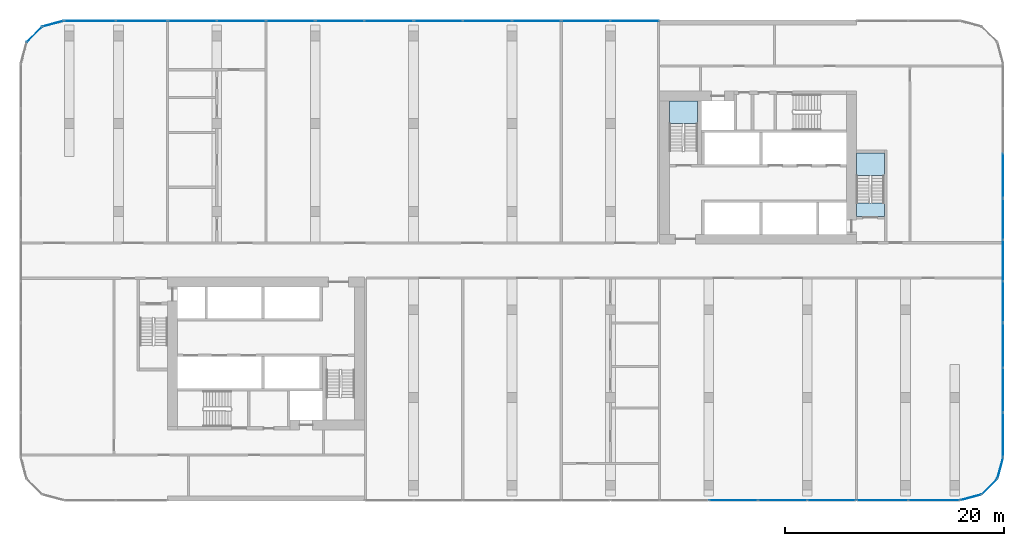
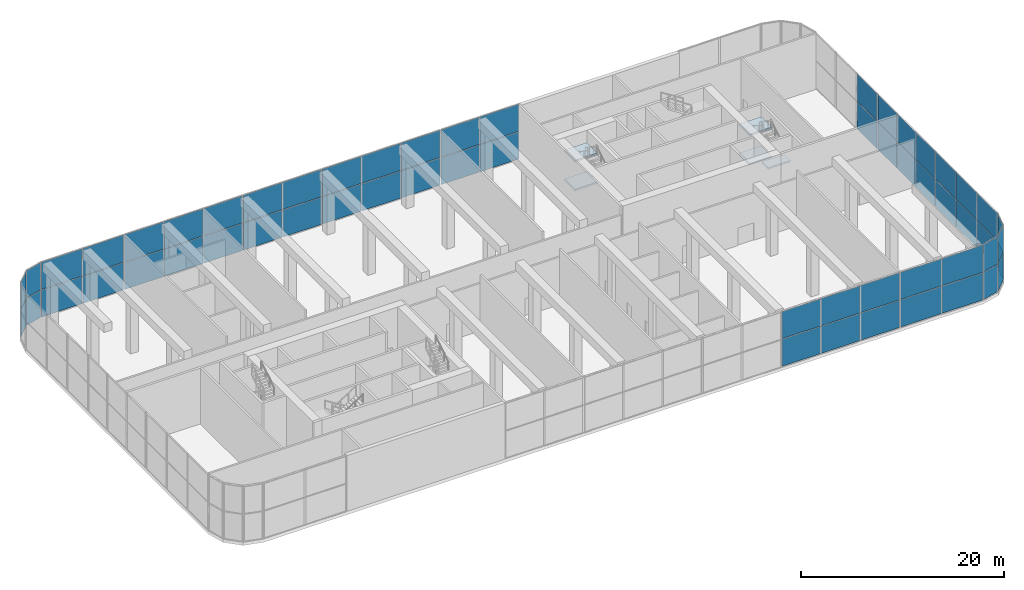
# One storey, part 10 of 23: 58 plates, 5 slabs, 17 elements without a shape of their own.
"""IFC4 building model written with IfcOpenShell, lengths in metres."""

from ifc_helpers import new_model, si_unit, direction, frame, origin, origin_2d, place, context, subcontext, project, spatial, polyline, rectangle, outline, extrude, material, layer, layer_set, type_object, element, aggregate, save


model = new_model("IFC4")

# Units and contexts
model_context = context("Model", 3, precision=1e-05, world=origin(), true_north=direction((0.0, 1.0)))
body_context = subcontext(model_context, "Body", "Model", "MODEL_VIEW")
ifc_project = project(units=[si_unit("LENGTHUNIT", "METRE"), si_unit("AREAUNIT", "SQUARE_METRE"), si_unit("VOLUMEUNIT", "CUBIC_METRE"), si_unit("PLANEANGLEUNIT", "RADIAN"), si_unit("MASSUNIT", "GRAM", prefix="KILO")], contexts=[model_context])

# Site, building, storey
site_placement = place(None, origin())
site = spatial("IfcSite", under=ifc_project, at=site_placement, CompositionType="ELEMENT")
building_placement = place(site_placement, origin())
building = spatial("IfcBuilding", under=site, at=building_placement, Name="Kajstack Hotel Tower", CompositionType="ELEMENT")
storey_placement = place(building_placement, frame((0.0, 0.0, 53.0)))
storey = spatial("IfcBuildingStorey", under=building, at=storey_placement, Name="L08", CompositionType="ELEMENT", Elevation=53.0)

# Curtain wall, plates
ifc_material_1 = material(Name="Aluminium-framed curtain wall, low-iron insulated glass", Category="aluminium")
curtain_wall_type = type_object("IfcCurtainWallType", Name="CW-GARDEN", PredefinedType="NOTDEFINED", material=ifc_material_1)
curtain_wall_1_placement = place(storey_placement, origin())
curtain_wall_1 = element("IfcCurtainWall", 1, at=curtain_wall_1_placement, inside=storey, type_object=curtain_wall_type, Name="Curtain wall CU6 L08-03-02-3", PredefinedType="NOTDEFINED")
ifc_material_2 = material(Name="Low-iron insulated glass", Category="glass")
ifc_layer_1 = layer(ifc_material_2, 0.0400390625)
ifc_layer_set_1 = layer_set([ifc_layer_1], Name="CW-P-GARDEN")
plate_type = type_object("IfcPlateType", Name="CW-P-GARDEN", PredefinedType="CURTAIN_PANEL", material=ifc_layer_set_1)
plate_1_placement = place(storey_placement, frame((20.264892578125, -21.925048828125, 0.06005859375), z_axis=(0.0, 0.0, 1.0), x_axis=(1.0, 0.0, 0.0)))
plate_1 = element("IfcPlate", 2, at=plate_1_placement, type_object=plate_type, Name="CU6 panel 1.1", PredefinedType="CURTAIN_PANEL", context=body_context, shape_type="SweptSolid", body=[
    extrude(rectangle(XDim=4.409912109375, YDim=0.0400390625, at=origin_2d()), origin(), (0.0, 0.0, 1.0), 3.27001953125),
])
plate_2_placement = place(storey_placement, frame((20.264892578125, -21.925048828125, 3.389892578125), z_axis=(0.0, 0.0, 1.0), x_axis=(1.0, 0.0, 0.0)))
plate_2 = element("IfcPlate", 3, at=plate_2_placement, type_object=plate_type, Name="CU6 panel 1.2", PredefinedType="CURTAIN_PANEL", context=body_context, shape_type="SweptSolid", body=[
    extrude(rectangle(XDim=4.409912109375, YDim=0.0400390625, at=origin_2d()), origin(), (0.0, 0.0, 1.0), 3.27001953125),
])
plate_3_placement = place(storey_placement, frame((24.75, -21.925048828125, 0.06005859375), z_axis=(0.0, 0.0, 1.0), x_axis=(1.0, 0.0, 0.0)))
plate_3 = element("IfcPlate", 4, at=plate_3_placement, type_object=plate_type, Name="CU6 panel 2.1", PredefinedType="CURTAIN_PANEL", context=body_context, shape_type="SweptSolid", body=[
    extrude(rectangle(XDim=4.43994140625, YDim=0.0400390625, at=origin_2d()), origin(), (0.0, 0.0, 1.0), 3.27001953125),
])
plate_4_placement = place(storey_placement, frame((24.75, -21.925048828125, 3.389892578125), z_axis=(0.0, 0.0, 1.0), x_axis=(1.0, 0.0, 0.0)))
plate_4 = element("IfcPlate", 5, at=plate_4_placement, type_object=plate_type, Name="CU6 panel 2.2", PredefinedType="CURTAIN_PANEL", context=body_context, shape_type="SweptSolid", body=[
    extrude(rectangle(XDim=4.43994140625, YDim=0.0400390625, at=origin_2d()), origin(), (0.0, 0.0, 1.0), 3.27001953125),
])
plate_5_placement = place(storey_placement, frame((29.235107421875, -21.925048828125, 0.06005859375), z_axis=(0.0, 0.0, 1.0), x_axis=(1.0, 0.0, 0.0)))
plate_5 = element("IfcPlate", 6, at=plate_5_placement, type_object=plate_type, Name="CU6 panel 3.1", PredefinedType="CURTAIN_PANEL", context=body_context, shape_type="SweptSolid", body=[
    extrude(rectangle(XDim=4.409912109375, YDim=0.0400390625, at=origin_2d()), origin(), (0.0, 0.0, 1.0), 3.27001953125),
])
plate_6_placement = place(storey_placement, frame((29.235107421875, -21.925048828125, 3.389892578125), z_axis=(0.0, 0.0, 1.0), x_axis=(1.0, 0.0, 0.0)))
plate_6 = element("IfcPlate", 7, at=plate_6_placement, type_object=plate_type, Name="CU6 panel 3.2", PredefinedType="CURTAIN_PANEL", context=body_context, shape_type="SweptSolid", body=[
    extrude(rectangle(XDim=4.409912109375, YDim=0.0400390625, at=origin_2d()), origin(), (0.0, 0.0, 1.0), 3.27001953125),
])
aggregate(curtain_wall_1, [plate_1, plate_2, plate_3, plate_4, plate_5, plate_6])

curtain_wall_2_placement = place(storey_placement, origin())
curtain_wall_2 = element("IfcCurtainWall", 8, at=curtain_wall_2_placement, inside=storey, type_object=curtain_wall_type, Name="Curtain wall CU6 L08-03-02-4", PredefinedType="NOTDEFINED")
plate_7_placement = place(storey_placement, frame((33.889892578125, -21.925048828125, 0.06005859375), z_axis=(0.0, 0.0, 1.0), x_axis=(1.0, 0.0, 0.0)))
plate_7 = element("IfcPlate", 9, at=plate_7_placement, type_object=plate_type, Name="CU6 panel 1.1", PredefinedType="CURTAIN_PANEL", context=body_context, shape_type="SweptSolid", body=[
    extrude(rectangle(XDim=4.659912109375, YDim=0.0400390625, at=origin_2d()), origin(), (0.0, 0.0, 1.0), 3.27001953125),
])
plate_8_placement = place(storey_placement, frame((33.889892578125, -21.925048828125, 3.389892578125), z_axis=(0.0, 0.0, 1.0), x_axis=(1.0, 0.0, 0.0)))
plate_8 = element("IfcPlate", 10, at=plate_8_placement, type_object=plate_type, Name="CU6 panel 1.2", PredefinedType="CURTAIN_PANEL", context=body_context, shape_type="SweptSolid", body=[
    extrude(rectangle(XDim=4.659912109375, YDim=0.0400390625, at=origin_2d()), origin(), (0.0, 0.0, 1.0), 3.27001953125),
])
plate_9_placement = place(storey_placement, frame((38.610107421875, -21.925048828125, 0.06005859375), z_axis=(0.0, 0.0, 1.0), x_axis=(1.0, 0.0, 0.0)))
plate_9 = element("IfcPlate", 11, at=plate_9_placement, type_object=plate_type, Name="CU6 panel 2.1", PredefinedType="CURTAIN_PANEL", context=body_context, shape_type="SweptSolid", body=[
    extrude(rectangle(XDim=4.659912109375, YDim=0.0400390625, at=origin_2d()), origin(), (0.0, 0.0, 1.0), 3.27001953125),
])
plate_10_placement = place(storey_placement, frame((38.610107421875, -21.925048828125, 3.389892578125), z_axis=(0.0, 0.0, 1.0), x_axis=(1.0, 0.0, 0.0)))
plate_10 = element("IfcPlate", 12, at=plate_10_placement, type_object=plate_type, Name="CU6 panel 2.2", PredefinedType="CURTAIN_PANEL", context=body_context, shape_type="SweptSolid", body=[
    extrude(rectangle(XDim=4.659912109375, YDim=0.0400390625, at=origin_2d()), origin(), (0.0, 0.0, 1.0), 3.27001953125),
])
aggregate(curtain_wall_2, [plate_7, plate_8, plate_9, plate_10])

curtain_wall_3_placement = place(storey_placement, origin())
curtain_wall_3 = element("IfcCurtainWall", 13, at=curtain_wall_3_placement, inside=storey, type_object=curtain_wall_type, Name="Curtain wall CU6 L08-04-00-0", PredefinedType="NOTDEFINED")
plate_11_placement = place(storey_placement, frame((41.98046875, -21.65966796875, 0.06005859375), z_axis=(0.0, 0.0, 1.0), x_axis=(0.965925631275, 0.258819772904, 0.0)))
plate_11 = element("IfcPlate", 14, at=plate_11_placement, type_object=plate_type, Name="CU6 panel 1.1", PredefinedType="CURTAIN_PANEL", context=body_context, shape_type="SweptSolid", body=[
    extrude(rectangle(XDim=1.950439453125, YDim=0.0400390625, at=origin_2d()), origin(), (0.0, 0.0, 1.0), 3.27001953125),
])
plate_12_placement = place(storey_placement, frame((41.98046875, -21.65966796875, 3.389892578125), z_axis=(0.0, 0.0, 1.0), x_axis=(0.965925631275, 0.258819772904, 0.0)))
plate_12 = element("IfcPlate", 15, at=plate_12_placement, type_object=plate_type, Name="CU6 panel 1.2", PredefinedType="CURTAIN_PANEL", context=body_context, shape_type="SweptSolid", body=[
    extrude(rectangle(XDim=1.950439453125, YDim=0.0400390625, at=origin_2d()), origin(), (0.0, 0.0, 1.0), 3.27001953125),
])
aggregate(curtain_wall_3, [plate_11, plate_12])

curtain_wall_4_placement = place(storey_placement, origin())
curtain_wall_4 = element("IfcCurtainWall", 16, at=curtain_wall_4_placement, inside=storey, type_object=curtain_wall_type, Name="Curtain wall CU6 L08-05-00-0", PredefinedType="NOTDEFINED")
plate_13_placement = place(storey_placement, frame((43.678955078125, -20.678955078125, 0.06005859375), z_axis=(0.0, 0.0, 1.0), x_axis=(0.707106781187, 0.707106781187, 0.0)))
plate_13 = element("IfcPlate", 17, at=plate_13_placement, type_object=plate_type, Name="CU6 panel 1.1", PredefinedType="CURTAIN_PANEL", context=body_context, shape_type="SweptSolid", body=[
    extrude(rectangle(XDim=1.950439453125, YDim=0.0400390625, at=origin_2d()), origin(), (0.0, 0.0, 1.0), 3.27001953125),
])
plate_14_placement = place(storey_placement, frame((43.678955078125, -20.678955078125, 3.389892578125), z_axis=(0.0, 0.0, 1.0), x_axis=(0.707106781187, 0.707106781187, 0.0)))
plate_14 = element("IfcPlate", 18, at=plate_14_placement, type_object=plate_type, Name="CU6 panel 1.2", PredefinedType="CURTAIN_PANEL", context=body_context, shape_type="SweptSolid", body=[
    extrude(rectangle(XDim=1.950439453125, YDim=0.0400390625, at=origin_2d()), origin(), (0.0, 0.0, 1.0), 3.27001953125),
])
aggregate(curtain_wall_4, [plate_13, plate_14])

curtain_wall_5_placement = place(storey_placement, origin())
curtain_wall_5 = element("IfcCurtainWall", 19, at=curtain_wall_5_placement, inside=storey, type_object=curtain_wall_type, Name="Curtain wall CU6 L08-06-00-0", PredefinedType="NOTDEFINED")
plate_15_placement = place(storey_placement, frame((44.65966796875, -18.98046875, 0.06005859375), z_axis=(0.0, 0.0, 1.0), x_axis=(0.258819772904, 0.965925631275, 0.0)))
plate_15 = element("IfcPlate", 20, at=plate_15_placement, type_object=plate_type, Name="CU6 panel 1.1", PredefinedType="CURTAIN_PANEL", context=body_context, shape_type="SweptSolid", body=[
    extrude(rectangle(XDim=1.950439453125, YDim=0.0400390625, at=origin_2d()), origin(), (0.0, 0.0, 1.0), 3.27001953125),
])
plate_16_placement = place(storey_placement, frame((44.65966796875, -18.98046875, 3.389892578125), z_axis=(0.0, 0.0, 1.0), x_axis=(0.258819772904, 0.965925631275, 0.0)))
plate_16 = element("IfcPlate", 21, at=plate_16_placement, type_object=plate_type, Name="CU6 panel 1.2", PredefinedType="CURTAIN_PANEL", context=body_context, shape_type="SweptSolid", body=[
    extrude(rectangle(XDim=1.950439453125, YDim=0.0400390625, at=origin_2d()), origin(), (0.0, 0.0, 1.0), 3.27001953125),
])
aggregate(curtain_wall_5, [plate_15, plate_16])

curtain_wall_6_placement = place(storey_placement, origin())
curtain_wall_6 = element("IfcCurtainWall", 22, at=curtain_wall_6_placement, inside=storey, type_object=curtain_wall_type, Name="Curtain wall CU6 L08-07-00-0", PredefinedType="NOTDEFINED")
plate_17_placement = place(storey_placement, frame((44.925048828125, -15.93505859375, 0.06005859375), z_axis=(0.0, 0.0, 1.0), x_axis=(0.0, 1.0, 0.0)))
plate_17 = element("IfcPlate", 23, at=plate_17_placement, type_object=plate_type, Name="CU6 panel 1.1", PredefinedType="CURTAIN_PANEL", context=body_context, shape_type="SweptSolid", body=[
    extrude(rectangle(XDim=4.010009765625, YDim=0.0400390625, at=origin_2d()), origin(), (0.0, 0.0, 1.0), 3.27001953125),
])
plate_18_placement = place(storey_placement, frame((44.925048828125, -15.93505859375, 3.389892578125), z_axis=(0.0, 0.0, 1.0), x_axis=(0.0, 1.0, 0.0)))
plate_18 = element("IfcPlate", 24, at=plate_18_placement, type_object=plate_type, Name="CU6 panel 1.2", PredefinedType="CURTAIN_PANEL", context=body_context, shape_type="SweptSolid", body=[
    extrude(rectangle(XDim=4.010009765625, YDim=0.0400390625, at=origin_2d()), origin(), (0.0, 0.0, 1.0), 3.27001953125),
])
plate_19_placement = place(storey_placement, frame((44.925048828125, -11.85009765625, 0.06005859375), z_axis=(0.0, 0.0, 1.0), x_axis=(0.0, 1.0, 0.0)))
plate_19 = element("IfcPlate", 25, at=plate_19_placement, type_object=plate_type, Name="CU6 panel 2.1", PredefinedType="CURTAIN_PANEL", context=body_context, shape_type="SweptSolid", body=[
    extrude(rectangle(XDim=4.0400390625, YDim=0.0400390625, at=origin_2d()), origin(), (0.0, 0.0, 1.0), 3.27001953125),
])
plate_20_placement = place(storey_placement, frame((44.925048828125, -11.85009765625, 3.389892578125), z_axis=(0.0, 0.0, 1.0), x_axis=(0.0, 1.0, 0.0)))
plate_20 = element("IfcPlate", 26, at=plate_20_placement, type_object=plate_type, Name="CU6 panel 2.2", PredefinedType="CURTAIN_PANEL", context=body_context, shape_type="SweptSolid", body=[
    extrude(rectangle(XDim=4.0400390625, YDim=0.0400390625, at=origin_2d()), origin(), (0.0, 0.0, 1.0), 3.27001953125),
])
plate_21_placement = place(storey_placement, frame((44.925048828125, -7.764892578125, 0.06005859375), z_axis=(0.0, 0.0, 1.0), x_axis=(0.0, 1.0, 0.0)))
plate_21 = element("IfcPlate", 27, at=plate_21_placement, type_object=plate_type, Name="CU6 panel 3.1", PredefinedType="CURTAIN_PANEL", context=body_context, shape_type="SweptSolid", body=[
    extrude(rectangle(XDim=4.010009765625, YDim=0.0400390625, at=origin_2d()), origin(), (0.0, 0.0, 1.0), 3.27001953125),
])
plate_22_placement = place(storey_placement, frame((44.925048828125, -7.764892578125, 3.389892578125), z_axis=(0.0, 0.0, 1.0), x_axis=(0.0, 1.0, 0.0)))
plate_22 = element("IfcPlate", 28, at=plate_22_placement, type_object=plate_type, Name="CU6 panel 3.2", PredefinedType="CURTAIN_PANEL", context=body_context, shape_type="SweptSolid", body=[
    extrude(rectangle(XDim=4.010009765625, YDim=0.0400390625, at=origin_2d()), origin(), (0.0, 0.0, 1.0), 3.27001953125),
])
aggregate(curtain_wall_6, [plate_17, plate_18, plate_19, plate_20, plate_21, plate_22])

curtain_wall_7_placement = place(storey_placement, origin())
curtain_wall_7 = element("IfcCurtainWall", 29, at=curtain_wall_7_placement, inside=storey, type_object=curtain_wall_type, Name="Curtain wall CU6 L08-07-00-1", PredefinedType="NOTDEFINED")
plate_23_placement = place(storey_placement, frame((44.925048828125, -3.784912109375, 0.06005859375), z_axis=(0.0, 0.0, 1.0), x_axis=(0.0, 1.0, 0.0)))
plate_23 = element("IfcPlate", 30, at=plate_23_placement, type_object=plate_type, Name="CU6 panel 1.1", PredefinedType="CURTAIN_PANEL", context=body_context, shape_type="SweptSolid", body=[
    extrude(rectangle(XDim=3.7099609375, YDim=0.0400390625, at=origin_2d()), origin(), (0.0, 0.0, 1.0), 3.27001953125),
])
plate_24_placement = place(storey_placement, frame((44.925048828125, -3.784912109375, 3.389892578125), z_axis=(0.0, 0.0, 1.0), x_axis=(0.0, 1.0, 0.0)))
plate_24 = element("IfcPlate", 31, at=plate_24_placement, type_object=plate_type, Name="CU6 panel 1.2", PredefinedType="CURTAIN_PANEL", context=body_context, shape_type="SweptSolid", body=[
    extrude(rectangle(XDim=3.7099609375, YDim=0.0400390625, at=origin_2d()), origin(), (0.0, 0.0, 1.0), 3.27001953125),
])
plate_25_placement = place(storey_placement, frame((44.925048828125, 0.0, 0.06005859375), z_axis=(0.0, 0.0, 1.0), x_axis=(0.0, 1.0, 0.0)))
plate_25 = element("IfcPlate", 32, at=plate_25_placement, type_object=plate_type, Name="CU6 panel 2.1", PredefinedType="CURTAIN_PANEL", context=body_context, shape_type="SweptSolid", body=[
    extrude(rectangle(XDim=3.739990234375, YDim=0.0400390625, at=origin_2d()), origin(), (0.0, 0.0, 1.0), 3.27001953125),
])
plate_26_placement = place(storey_placement, frame((44.925048828125, 0.0, 3.389892578125), z_axis=(0.0, 0.0, 1.0), x_axis=(0.0, 1.0, 0.0)))
plate_26 = element("IfcPlate", 33, at=plate_26_placement, type_object=plate_type, Name="CU6 panel 2.2", PredefinedType="CURTAIN_PANEL", context=body_context, shape_type="SweptSolid", body=[
    extrude(rectangle(XDim=3.739990234375, YDim=0.0400390625, at=origin_2d()), origin(), (0.0, 0.0, 1.0), 3.27001953125),
])
plate_27_placement = place(storey_placement, frame((44.925048828125, 3.784912109375, 0.06005859375), z_axis=(0.0, 0.0, 1.0), x_axis=(0.0, 1.0, 0.0)))
plate_27 = element("IfcPlate", 34, at=plate_27_placement, type_object=plate_type, Name="CU6 panel 3.1", PredefinedType="CURTAIN_PANEL", context=body_context, shape_type="SweptSolid", body=[
    extrude(rectangle(XDim=3.7099609375, YDim=0.0400390625, at=origin_2d()), origin(), (0.0, 0.0, 1.0), 3.27001953125),
])
plate_28_placement = place(storey_placement, frame((44.925048828125, 3.784912109375, 3.389892578125), z_axis=(0.0, 0.0, 1.0), x_axis=(0.0, 1.0, 0.0)))
plate_28 = element("IfcPlate", 35, at=plate_28_placement, type_object=plate_type, Name="CU6 panel 3.2", PredefinedType="CURTAIN_PANEL", context=body_context, shape_type="SweptSolid", body=[
    extrude(rectangle(XDim=3.7099609375, YDim=0.0400390625, at=origin_2d()), origin(), (0.0, 0.0, 1.0), 3.27001953125),
])
aggregate(curtain_wall_7, [plate_23, plate_24, plate_25, plate_26, plate_27, plate_28])

curtain_wall_8_placement = place(storey_placement, origin())
curtain_wall_8 = element("IfcCurtainWall", 36, at=curtain_wall_8_placement, inside=storey, type_object=curtain_wall_type, Name="Curtain wall CU6 L08-07-00-2", PredefinedType="NOTDEFINED")
plate_29_placement = place(storey_placement, frame((44.925048828125, 7.764892578125, 0.06005859375), z_axis=(0.0, 0.0, 1.0), x_axis=(0.0, 1.0, 0.0)))
plate_29 = element("IfcPlate", 37, at=plate_29_placement, type_object=plate_type, Name="CU6 panel 1.1", PredefinedType="CURTAIN_PANEL", context=body_context, shape_type="SweptSolid", body=[
    extrude(rectangle(XDim=4.010009765625, YDim=0.0400390625, at=origin_2d()), origin(), (0.0, 0.0, 1.0), 3.27001953125),
])
plate_30_placement = place(storey_placement, frame((44.925048828125, 7.764892578125, 3.389892578125), z_axis=(0.0, 0.0, 1.0), x_axis=(0.0, 1.0, 0.0)))
plate_30 = element("IfcPlate", 38, at=plate_30_placement, type_object=plate_type, Name="CU6 panel 1.2", PredefinedType="CURTAIN_PANEL", context=body_context, shape_type="SweptSolid", body=[
    extrude(rectangle(XDim=4.010009765625, YDim=0.0400390625, at=origin_2d()), origin(), (0.0, 0.0, 1.0), 3.27001953125),
])
aggregate(curtain_wall_8, [plate_29, plate_30])

curtain_wall_9_placement = place(storey_placement, origin())
curtain_wall_9 = element("IfcCurtainWall", 39, at=curtain_wall_9_placement, inside=storey, type_object=curtain_wall_type, Name="Curtain wall CU6 L08-11-02-0", PredefinedType="NOTDEFINED")
plate_31_placement = place(storey_placement, frame((11.235107421875, 21.925048828125, 0.06005859375), z_axis=(0.0, 0.0, 1.0), x_axis=(-1.0, 0.0, 0.0)))
plate_31 = element("IfcPlate", 40, at=plate_31_placement, type_object=plate_type, Name="CU6 panel 1.1", PredefinedType="CURTAIN_PANEL", context=body_context, shape_type="SweptSolid", body=[
    extrude(rectangle(XDim=4.409912109375, YDim=0.0400390625, at=origin_2d()), origin(), (0.0, 0.0, 1.0), 3.27001953125),
])
plate_32_placement = place(storey_placement, frame((11.235107421875, 21.925048828125, 3.389892578125), z_axis=(0.0, 0.0, 1.0), x_axis=(-1.0, 0.0, 0.0)))
plate_32 = element("IfcPlate", 41, at=plate_32_placement, type_object=plate_type, Name="CU6 panel 1.2", PredefinedType="CURTAIN_PANEL", context=body_context, shape_type="SweptSolid", body=[
    extrude(rectangle(XDim=4.409912109375, YDim=0.0400390625, at=origin_2d()), origin(), (0.0, 0.0, 1.0), 3.27001953125),
])
plate_33_placement = place(storey_placement, frame((6.764892578125, 21.925048828125, 0.06005859375), z_axis=(0.0, 0.0, 1.0), x_axis=(-1.0, 0.0, 0.0)))
plate_33 = element("IfcPlate", 42, at=plate_33_placement, type_object=plate_type, Name="CU6 panel 2.1", PredefinedType="CURTAIN_PANEL", context=body_context, shape_type="SweptSolid", body=[
    extrude(rectangle(XDim=4.409912109375, YDim=0.0400390625, at=origin_2d()), origin(), (0.0, 0.0, 1.0), 3.27001953125),
])
plate_34_placement = place(storey_placement, frame((6.764892578125, 21.925048828125, 3.389892578125), z_axis=(0.0, 0.0, 1.0), x_axis=(-1.0, 0.0, 0.0)))
plate_34 = element("IfcPlate", 43, at=plate_34_placement, type_object=plate_type, Name="CU6 panel 2.2", PredefinedType="CURTAIN_PANEL", context=body_context, shape_type="SweptSolid", body=[
    extrude(rectangle(XDim=4.409912109375, YDim=0.0400390625, at=origin_2d()), origin(), (0.0, 0.0, 1.0), 3.27001953125),
])
aggregate(curtain_wall_9, [plate_31, plate_32, plate_33, plate_34])

curtain_wall_10_placement = place(storey_placement, origin())
curtain_wall_10 = element("IfcCurtainWall", 44, at=curtain_wall_10_placement, inside=storey, type_object=curtain_wall_type, Name="Curtain wall CU6 L08-11-02-1", PredefinedType="NOTDEFINED")
plate_35_placement = place(storey_placement, frame((2.235107421875, 21.925048828125, 0.06005859375), z_axis=(0.0, 0.0, 1.0), x_axis=(-1.0, 0.0, 0.0)))
plate_35 = element("IfcPlate", 45, at=plate_35_placement, type_object=plate_type, Name="CU6 panel 1.1", PredefinedType="CURTAIN_PANEL", context=body_context, shape_type="SweptSolid", body=[
    extrude(rectangle(XDim=4.409912109375, YDim=0.0400390625, at=origin_2d()), origin(), (0.0, 0.0, 1.0), 3.27001953125),
])
plate_36_placement = place(storey_placement, frame((2.235107421875, 21.925048828125, 3.389892578125), z_axis=(0.0, 0.0, 1.0), x_axis=(-1.0, 0.0, 0.0)))
plate_36 = element("IfcPlate", 46, at=plate_36_placement, type_object=plate_type, Name="CU6 panel 1.2", PredefinedType="CURTAIN_PANEL", context=body_context, shape_type="SweptSolid", body=[
    extrude(rectangle(XDim=4.409912109375, YDim=0.0400390625, at=origin_2d()), origin(), (0.0, 0.0, 1.0), 3.27001953125),
])
plate_37_placement = place(storey_placement, frame((-2.25, 21.925048828125, 0.06005859375), z_axis=(0.0, 0.0, 1.0), x_axis=(-1.0, 0.0, 0.0)))
plate_37 = element("IfcPlate", 47, at=plate_37_placement, type_object=plate_type, Name="CU6 panel 2.1", PredefinedType="CURTAIN_PANEL", context=body_context, shape_type="SweptSolid", body=[
    extrude(rectangle(XDim=4.43994140625, YDim=0.0400390625, at=origin_2d()), origin(), (0.0, 0.0, 1.0), 3.27001953125),
])
plate_38_placement = place(storey_placement, frame((-2.25, 21.925048828125, 3.389892578125), z_axis=(0.0, 0.0, 1.0), x_axis=(-1.0, 0.0, 0.0)))
plate_38 = element("IfcPlate", 48, at=plate_38_placement, type_object=plate_type, Name="CU6 panel 2.2", PredefinedType="CURTAIN_PANEL", context=body_context, shape_type="SweptSolid", body=[
    extrude(rectangle(XDim=4.43994140625, YDim=0.0400390625, at=origin_2d()), origin(), (0.0, 0.0, 1.0), 3.27001953125),
])
plate_39_placement = place(storey_placement, frame((-6.735107421875, 21.925048828125, 0.06005859375), z_axis=(0.0, 0.0, 1.0), x_axis=(-1.0, 0.0, 0.0)))
plate_39 = element("IfcPlate", 49, at=plate_39_placement, type_object=plate_type, Name="CU6 panel 3.1", PredefinedType="CURTAIN_PANEL", context=body_context, shape_type="SweptSolid", body=[
    extrude(rectangle(XDim=4.409912109375, YDim=0.0400390625, at=origin_2d()), origin(), (0.0, 0.0, 1.0), 3.27001953125),
])
plate_40_placement = place(storey_placement, frame((-6.735107421875, 21.925048828125, 3.389892578125), z_axis=(0.0, 0.0, 1.0), x_axis=(-1.0, 0.0, 0.0)))
plate_40 = element("IfcPlate", 50, at=plate_40_placement, type_object=plate_type, Name="CU6 panel 3.2", PredefinedType="CURTAIN_PANEL", context=body_context, shape_type="SweptSolid", body=[
    extrude(rectangle(XDim=4.409912109375, YDim=0.0400390625, at=origin_2d()), origin(), (0.0, 0.0, 1.0), 3.27001953125),
])
aggregate(curtain_wall_10, [plate_35, plate_36, plate_37, plate_38, plate_39, plate_40])

curtain_wall_11_placement = place(storey_placement, origin())
curtain_wall_11 = element("IfcCurtainWall", 51, at=curtain_wall_11_placement, inside=storey, type_object=curtain_wall_type, Name="Curtain wall CU6 L08-11-02-2", PredefinedType="NOTDEFINED")
plate_41_placement = place(storey_placement, frame((-11.264892578125, 21.925048828125, 0.06005859375), z_axis=(0.0, 0.0, 1.0), x_axis=(-1.0, 0.0, 0.0)))
plate_41 = element("IfcPlate", 52, at=plate_41_placement, type_object=plate_type, Name="CU6 panel 1.1", PredefinedType="CURTAIN_PANEL", context=body_context, shape_type="SweptSolid", body=[
    extrude(rectangle(XDim=4.409912109375, YDim=0.0400390625, at=origin_2d()), origin(), (0.0, 0.0, 1.0), 3.27001953125),
])
plate_42_placement = place(storey_placement, frame((-11.264892578125, 21.925048828125, 3.389892578125), z_axis=(0.0, 0.0, 1.0), x_axis=(-1.0, 0.0, 0.0)))
plate_42 = element("IfcPlate", 53, at=plate_42_placement, type_object=plate_type, Name="CU6 panel 1.2", PredefinedType="CURTAIN_PANEL", context=body_context, shape_type="SweptSolid", body=[
    extrude(rectangle(XDim=4.409912109375, YDim=0.0400390625, at=origin_2d()), origin(), (0.0, 0.0, 1.0), 3.27001953125),
])
plate_43_placement = place(storey_placement, frame((-15.735107421875, 21.925048828125, 0.06005859375), z_axis=(0.0, 0.0, 1.0), x_axis=(-1.0, 0.0, 0.0)))
plate_43 = element("IfcPlate", 54, at=plate_43_placement, type_object=plate_type, Name="CU6 panel 2.1", PredefinedType="CURTAIN_PANEL", context=body_context, shape_type="SweptSolid", body=[
    extrude(rectangle(XDim=4.409912109375, YDim=0.0400390625, at=origin_2d()), origin(), (0.0, 0.0, 1.0), 3.27001953125),
])
plate_44_placement = place(storey_placement, frame((-15.735107421875, 21.925048828125, 3.389892578125), z_axis=(0.0, 0.0, 1.0), x_axis=(-1.0, 0.0, 0.0)))
plate_44 = element("IfcPlate", 55, at=plate_44_placement, type_object=plate_type, Name="CU6 panel 2.2", PredefinedType="CURTAIN_PANEL", context=body_context, shape_type="SweptSolid", body=[
    extrude(rectangle(XDim=4.409912109375, YDim=0.0400390625, at=origin_2d()), origin(), (0.0, 0.0, 1.0), 3.27001953125),
])
aggregate(curtain_wall_11, [plate_41, plate_42, plate_43, plate_44])

curtain_wall_12_placement = place(storey_placement, origin())
curtain_wall_12 = element("IfcCurtainWall", 56, at=curtain_wall_12_placement, inside=storey, type_object=curtain_wall_type, Name="Curtain wall CU6 L08-11-02-3", PredefinedType="NOTDEFINED")
plate_45_placement = place(storey_placement, frame((-20.264892578125, 21.925048828125, 0.06005859375), z_axis=(0.0, 0.0, 1.0), x_axis=(-1.0, 0.0, 0.0)))
plate_45 = element("IfcPlate", 57, at=plate_45_placement, type_object=plate_type, Name="CU6 panel 1.1", PredefinedType="CURTAIN_PANEL", context=body_context, shape_type="SweptSolid", body=[
    extrude(rectangle(XDim=4.409912109375, YDim=0.0400390625, at=origin_2d()), origin(), (0.0, 0.0, 1.0), 3.27001953125),
])
plate_46_placement = place(storey_placement, frame((-20.264892578125, 21.925048828125, 3.389892578125), z_axis=(0.0, 0.0, 1.0), x_axis=(-1.0, 0.0, 0.0)))
plate_46 = element("IfcPlate", 58, at=plate_46_placement, type_object=plate_type, Name="CU6 panel 1.2", PredefinedType="CURTAIN_PANEL", context=body_context, shape_type="SweptSolid", body=[
    extrude(rectangle(XDim=4.409912109375, YDim=0.0400390625, at=origin_2d()), origin(), (0.0, 0.0, 1.0), 3.27001953125),
])
plate_47_placement = place(storey_placement, frame((-24.75, 21.925048828125, 0.06005859375), z_axis=(0.0, 0.0, 1.0), x_axis=(-1.0, 0.0, 0.0)))
plate_47 = element("IfcPlate", 59, at=plate_47_placement, type_object=plate_type, Name="CU6 panel 2.1", PredefinedType="CURTAIN_PANEL", context=body_context, shape_type="SweptSolid", body=[
    extrude(rectangle(XDim=4.43994140625, YDim=0.0400390625, at=origin_2d()), origin(), (0.0, 0.0, 1.0), 3.27001953125),
])
plate_48_placement = place(storey_placement, frame((-24.75, 21.925048828125, 3.389892578125), z_axis=(0.0, 0.0, 1.0), x_axis=(-1.0, 0.0, 0.0)))
plate_48 = element("IfcPlate", 60, at=plate_48_placement, type_object=plate_type, Name="CU6 panel 2.2", PredefinedType="CURTAIN_PANEL", context=body_context, shape_type="SweptSolid", body=[
    extrude(rectangle(XDim=4.43994140625, YDim=0.0400390625, at=origin_2d()), origin(), (0.0, 0.0, 1.0), 3.27001953125),
])
plate_49_placement = place(storey_placement, frame((-29.235107421875, 21.925048828125, 0.06005859375), z_axis=(0.0, 0.0, 1.0), x_axis=(-1.0, 0.0, 0.0)))
plate_49 = element("IfcPlate", 61, at=plate_49_placement, type_object=plate_type, Name="CU6 panel 3.1", PredefinedType="CURTAIN_PANEL", context=body_context, shape_type="SweptSolid", body=[
    extrude(rectangle(XDim=4.409912109375, YDim=0.0400390625, at=origin_2d()), origin(), (0.0, 0.0, 1.0), 3.27001953125),
])
plate_50_placement = place(storey_placement, frame((-29.235107421875, 21.925048828125, 3.389892578125), z_axis=(0.0, 0.0, 1.0), x_axis=(-1.0, 0.0, 0.0)))
plate_50 = element("IfcPlate", 62, at=plate_50_placement, type_object=plate_type, Name="CU6 panel 3.2", PredefinedType="CURTAIN_PANEL", context=body_context, shape_type="SweptSolid", body=[
    extrude(rectangle(XDim=4.409912109375, YDim=0.0400390625, at=origin_2d()), origin(), (0.0, 0.0, 1.0), 3.27001953125),
])
aggregate(curtain_wall_12, [plate_45, plate_46, plate_47, plate_48, plate_49, plate_50])

curtain_wall_13_placement = place(storey_placement, origin())
curtain_wall_13 = element("IfcCurtainWall", 63, at=curtain_wall_13_placement, inside=storey, type_object=curtain_wall_type, Name="Curtain wall CU6 L08-11-02-4", PredefinedType="NOTDEFINED")
plate_51_placement = place(storey_placement, frame((-33.889892578125, 21.925048828125, 0.06005859375), z_axis=(0.0, 0.0, 1.0), x_axis=(-1.0, 0.0, 0.0)))
plate_51 = element("IfcPlate", 64, at=plate_51_placement, type_object=plate_type, Name="CU6 panel 1.1", PredefinedType="CURTAIN_PANEL", context=body_context, shape_type="SweptSolid", body=[
    extrude(rectangle(XDim=4.659912109375, YDim=0.0400390625, at=origin_2d()), origin(), (0.0, 0.0, 1.0), 3.27001953125),
])
plate_52_placement = place(storey_placement, frame((-33.889892578125, 21.925048828125, 3.389892578125), z_axis=(0.0, 0.0, 1.0), x_axis=(-1.0, 0.0, 0.0)))
plate_52 = element("IfcPlate", 65, at=plate_52_placement, type_object=plate_type, Name="CU6 panel 1.2", PredefinedType="CURTAIN_PANEL", context=body_context, shape_type="SweptSolid", body=[
    extrude(rectangle(XDim=4.659912109375, YDim=0.0400390625, at=origin_2d()), origin(), (0.0, 0.0, 1.0), 3.27001953125),
])
plate_53_placement = place(storey_placement, frame((-38.610107421875, 21.925048828125, 0.06005859375), z_axis=(0.0, 0.0, 1.0), x_axis=(-1.0, 0.0, 0.0)))
plate_53 = element("IfcPlate", 66, at=plate_53_placement, type_object=plate_type, Name="CU6 panel 2.1", PredefinedType="CURTAIN_PANEL", context=body_context, shape_type="SweptSolid", body=[
    extrude(rectangle(XDim=4.659912109375, YDim=0.0400390625, at=origin_2d()), origin(), (0.0, 0.0, 1.0), 3.27001953125),
])
plate_54_placement = place(storey_placement, frame((-38.610107421875, 21.925048828125, 3.389892578125), z_axis=(0.0, 0.0, 1.0), x_axis=(-1.0, 0.0, 0.0)))
plate_54 = element("IfcPlate", 67, at=plate_54_placement, type_object=plate_type, Name="CU6 panel 2.2", PredefinedType="CURTAIN_PANEL", context=body_context, shape_type="SweptSolid", body=[
    extrude(rectangle(XDim=4.659912109375, YDim=0.0400390625, at=origin_2d()), origin(), (0.0, 0.0, 1.0), 3.27001953125),
])
aggregate(curtain_wall_13, [plate_51, plate_52, plate_53, plate_54])

curtain_wall_14_placement = place(storey_placement, origin())
curtain_wall_14 = element("IfcCurtainWall", 68, at=curtain_wall_14_placement, inside=storey, type_object=curtain_wall_type, Name="Curtain wall CU6 L08-12-00-0", PredefinedType="NOTDEFINED")
plate_55_placement = place(storey_placement, frame((-41.98046875, 21.65966796875, 0.06005859375), z_axis=(0.0, 0.0, 1.0), x_axis=(-0.965925631275, -0.258819772904, 0.0)))
plate_55 = element("IfcPlate", 69, at=plate_55_placement, type_object=plate_type, Name="CU6 panel 1.1", PredefinedType="CURTAIN_PANEL", context=body_context, shape_type="SweptSolid", body=[
    extrude(rectangle(XDim=1.950439453125, YDim=0.0400390625, at=origin_2d()), origin(), (0.0, 0.0, 1.0), 3.27001953125),
])
plate_56_placement = place(storey_placement, frame((-41.98046875, 21.65966796875, 3.389892578125), z_axis=(0.0, 0.0, 1.0), x_axis=(-0.965925631275, -0.258819772904, 0.0)))
plate_56 = element("IfcPlate", 70, at=plate_56_placement, type_object=plate_type, Name="CU6 panel 1.2", PredefinedType="CURTAIN_PANEL", context=body_context, shape_type="SweptSolid", body=[
    extrude(rectangle(XDim=1.950439453125, YDim=0.0400390625, at=origin_2d()), origin(), (0.0, 0.0, 1.0), 3.27001953125),
])
aggregate(curtain_wall_14, [plate_55, plate_56])

curtain_wall_15_placement = place(storey_placement, origin())
curtain_wall_15 = element("IfcCurtainWall", 71, at=curtain_wall_15_placement, inside=storey, type_object=curtain_wall_type, Name="Curtain wall CU6 L08-13-00-0", PredefinedType="NOTDEFINED")
plate_57_placement = place(storey_placement, frame((-43.678955078125, 20.678955078125, 0.06005859375), z_axis=(0.0, 0.0, 1.0), x_axis=(-0.707106781187, -0.707106781187, 0.0)))
plate_57 = element("IfcPlate", 72, at=plate_57_placement, type_object=plate_type, Name="CU6 panel 1.1", PredefinedType="CURTAIN_PANEL", context=body_context, shape_type="SweptSolid", body=[
    extrude(rectangle(XDim=1.950439453125, YDim=0.0400390625, at=origin_2d()), origin(), (0.0, 0.0, 1.0), 3.27001953125),
])
plate_58_placement = place(storey_placement, frame((-43.678955078125, 20.678955078125, 3.389892578125), z_axis=(0.0, 0.0, 1.0), x_axis=(-0.707106781187, -0.707106781187, 0.0)))
plate_58 = element("IfcPlate", 73, at=plate_58_placement, type_object=plate_type, Name="CU6 panel 1.2", PredefinedType="CURTAIN_PANEL", context=body_context, shape_type="SweptSolid", body=[
    extrude(rectangle(XDim=1.950439453125, YDim=0.0400390625, at=origin_2d()), origin(), (0.0, 0.0, 1.0), 3.27001953125),
])
aggregate(curtain_wall_15, [plate_57, plate_58])

# Stair, slabs
ifc_material_3 = material(Name="Concrete C40/50", Category="concrete")
stair_type = type_object("IfcStairType", Name="Exit stair 1200", PredefinedType="HALF_TURN_STAIR", material=ifc_material_3)
stair_1_placement = place(storey_placement, origin())
stair_1 = element("IfcStair", 74, at=stair_1_placement, inside=storey, type_object=stair_type, Name="L08 stair E1", PredefinedType="HALF_TURN_STAIR")
ifc_layer_2 = layer(ifc_material_3, 0.199951171875)
ifc_layer_set_2 = layer_set([ifc_layer_2], Name="Stair landing 200")
slab_type = type_object("IfcSlabType", Name="Stair landing 200", PredefinedType="LANDING", material=ifc_layer_set_2)
slab_1_placement = place(storey_placement, frame((0.0, 0.0, 1.550048828125)))
slab_1 = element("IfcSlab", 75, at=slab_1_placement, type_object=slab_type, Name="E1 landing 1", PredefinedType="LANDING", context=body_context, shape_type="SweptSolid", body=[
    extrude(outline(polyline([(34.050048828125, 7.77001953125), (34.050048828125, 9.85009765625), (31.5, 9.85009765625), (31.5, 7.77001953125), (34.050048828125, 7.77001953125)])), origin(), (0.0, 0.0, 1.0), 0.199951171875),
])
slab_2_placement = place(storey_placement, frame((0.0, 0.0, 3.300048828125)))
slab_2 = element("IfcSlab", 76, at=slab_2_placement, type_object=slab_type, Name="E1 landing 2", PredefinedType="LANDING", context=body_context, shape_type="SweptSolid", body=[
    extrude(outline(polyline([(34.050048828125, 4.050048828125), (34.050048828125, 5.25), (31.5, 5.25), (31.5, 4.050048828125), (34.050048828125, 4.050048828125)])), origin(), (0.0, 0.0, 1.0), 0.199951171875),
])
slab_3_placement = place(storey_placement, frame((0.0, 0.0, 5.050048828125)))
slab_3 = element("IfcSlab", 77, at=slab_3_placement, type_object=slab_type, Name="E1 landing 3", PredefinedType="LANDING", context=body_context, shape_type="SweptSolid", body=[
    extrude(outline(polyline([(34.050048828125, 7.77001953125), (34.050048828125, 9.85009765625), (31.5, 9.85009765625), (31.5, 7.77001953125), (34.050048828125, 7.77001953125)])), origin(), (0.0, 0.0, 1.0), 0.199951171875),
])
aggregate(stair_1, [slab_1, slab_2, slab_3])

stair_2_placement = place(storey_placement, origin())
stair_2 = element("IfcStair", 78, at=stair_2_placement, inside=storey, type_object=stair_type, Name="L08 stair E2", PredefinedType="HALF_TURN_STAIR")
slab_4_placement = place(storey_placement, frame((0.0, 0.0, 1.550048828125)))
slab_4 = element("IfcSlab", 79, at=slab_4_placement, type_object=slab_type, Name="E2 landing 1", PredefinedType="LANDING", context=body_context, shape_type="SweptSolid", body=[
    extrude(outline(polyline([(16.949951171875, 12.52001953125), (16.949951171875, 14.60009765625), (14.39990234375, 14.60009765625), (14.39990234375, 12.52001953125), (16.949951171875, 12.52001953125)])), origin(), (0.0, 0.0, 1.0), 0.199951171875),
])
slab_5_placement = place(storey_placement, frame((0.0, 0.0, 5.050048828125)))
slab_5 = element("IfcSlab", 80, at=slab_5_placement, type_object=slab_type, Name="E2 landing 3", PredefinedType="LANDING", context=body_context, shape_type="SweptSolid", body=[
    extrude(outline(polyline([(16.949951171875, 12.52001953125), (16.949951171875, 14.60009765625), (14.39990234375, 14.60009765625), (14.39990234375, 12.52001953125), (16.949951171875, 12.52001953125)])), origin(), (0.0, 0.0, 1.0), 0.199951171875),
])
aggregate(stair_2, [slab_4, slab_5])

save(model, "model.ifc")
